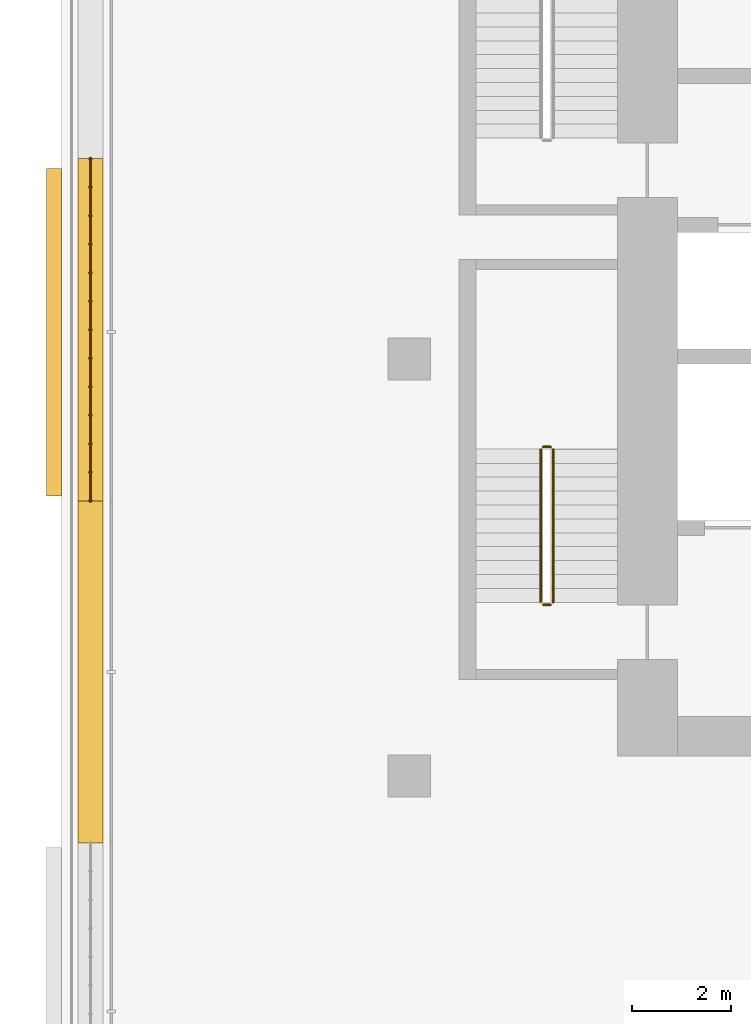
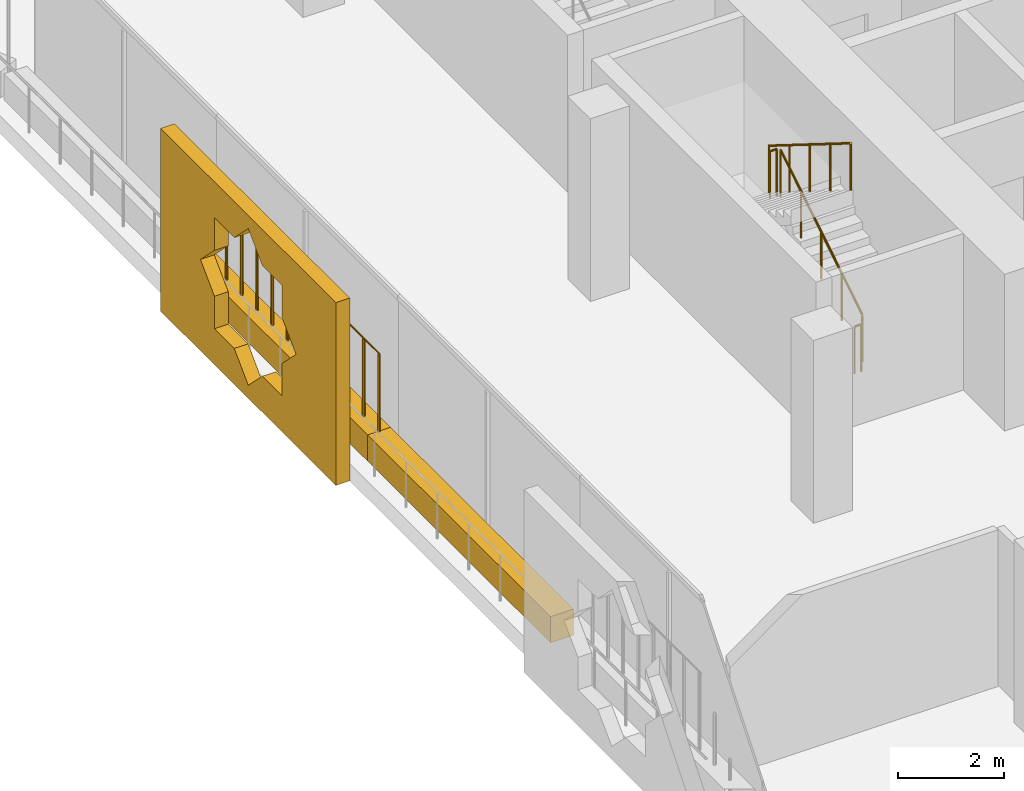
# One storey, part 15 of 20: 5 railings, 3 coverings.
"""IFC4 building model written with IfcOpenShell, lengths in metres."""

from ifc_helpers import new_model, si_unit, direction, frame, origin, origin_2d, place, context, subcontext, project, spatial, polyline, rectangle, circle, outline, extrude, material, material_profile, profile_set, type_object, element, save


model = new_model("IFC4")

# Units and contexts
model_context = context("Model", 3, precision=1e-05, world=origin(), true_north=direction((0.0, 1.0)))
body_context = subcontext(model_context, "Body", "Model", "MODEL_VIEW")
ifc_project = project(units=[si_unit("LENGTHUNIT", "METRE"), si_unit("AREAUNIT", "SQUARE_METRE"), si_unit("VOLUMEUNIT", "CUBIC_METRE"), si_unit("PLANEANGLEUNIT", "RADIAN"), si_unit("MASSUNIT", "GRAM", prefix="KILO")], contexts=[model_context])

# Site, building, storey
site_placement = place(None, origin())
site = spatial("IfcSite", under=ifc_project, at=site_placement, CompositionType="ELEMENT")
building_placement = place(site_placement, origin())
building = spatial("IfcBuilding", under=site, at=building_placement, Name="Kawkab Arch Medical Tower", CompositionType="ELEMENT")
storey_placement = place(building_placement, frame((0.0, 0.0, 239.0)))
storey = spatial("IfcBuildingStorey", under=building, at=storey_placement, Name="L55", CompositionType="ELEMENT", Elevation=239.0)

# Coverings
ifc_material_1 = material(Name="Bronze anodised aluminium mashrabiya panel, eight-point star pattern", Category="aluminium")
ifc_material_profile_1 = material_profile(ifc_material_1, outline(polyline([(-3.300048828125, -2.10009765625), (3.300048828125, -2.10009765625), (3.300048828125, 2.10009765625), (-3.300048828125, 2.10009765625), (-3.300048828125, -2.10009765625)]), holes=[polyline([(1.800048828125, 0.0), (1.272705078125, 0.527099609375), (1.272705078125, 1.272705078125), (0.527099609375, 1.272705078125), (0.0, 1.800048828125), (-0.527099609375, 1.272705078125), (-1.272705078125, 1.272705078125), (-1.272705078125, 0.527099609375), (-1.800048828125, 0.0), (-1.272705078125, -0.527099609375), (-1.272705078125, -1.272705078125), (-0.527099609375, -1.272705078125), (0.0, -1.800048828125), (0.527099609375, -1.272705078125), (1.272705078125, -1.272705078125), (1.272705078125, -0.527099609375), (1.800048828125, 0.0)])]), Name="Mashrabiya panel 6600x4200")
ifc_profile_set_1 = profile_set([ifc_material_profile_1], Name="Bronze anodised aluminium mashrabiya panel, eight-point star pattern")
covering_type_1 = type_object("IfcCoveringType", Name="Mashrabiya panel 6600 x 4200", PredefinedType="USERDEFINED", material=ifc_profile_set_1)
covering_1_placement = place(storey_placement, frame((-7.0, -16.259033203125, 1.699951171875), z_axis=(-1.0, 0.0, 0.0), x_axis=(0.0, -1.0, 0.0)))
element("IfcCovering", 1, at=covering_1_placement, inside=storey, type_object=covering_type_1, Name="Mashrabiya panel L55.LOG-01-01.4", ObjectType="SCREEN", PredefinedType="USERDEFINED", context=body_context, shape_type="SweptSolid", body=[
    extrude(outline(polyline([(-3.300048828125, -2.10009765625), (3.300048828125, -2.10009765625), (3.300048828125, 2.10009765625), (-3.300048828125, 2.10009765625), (-3.300048828125, -2.10009765625)]), holes=[polyline([(1.800048828125, 0.0), (1.272705078125, 0.527099609375), (1.272705078125, 1.272705078125), (0.527099609375, 1.272705078125), (0.0, 1.800048828125), (-0.527099609375, 1.272705078125), (-1.272705078125, 1.272705078125), (-1.272705078125, 0.527099609375), (-1.800048828125, 0.0), (-1.272705078125, -0.527099609375), (-1.272705078125, -1.272705078125), (-0.527099609375, -1.272705078125), (0.0, -1.800048828125), (0.527099609375, -1.272705078125), (1.272705078125, -1.272705078125), (1.272705078125, -0.527099609375), (1.800048828125, 0.0)])]), origin(), (0.0, 0.0, 1.0), 0.300048828125),
])
ifc_material_2 = material(Name="Planting soil in a precast trough", Category="concrete")
ifc_material_profile_2 = material_profile(ifc_material_2, rectangle(XDim=0.5, YDim=0.60009765625, at=origin_2d()), Name="Trough 500x600")
ifc_profile_set_2 = profile_set([ifc_material_profile_2], Name="Planting soil in a precast trough")
covering_type_2 = type_object("IfcCoveringType", Name="Planter trough 500 x 600", PredefinedType="USERDEFINED", material=ifc_profile_set_2)
covering_2_placement = place(storey_placement, frame((-6.419921875, -26.544921875, 0.300048828125), z_axis=(0.0, 1.0, 0.0), x_axis=(-1.0, 0.0, 0.0)))
element("IfcCovering", 2, at=covering_2_placement, inside=storey, type_object=covering_type_2, Name="Planter L55.LOG-01-01.10", ObjectType="PLANTER", PredefinedType="USERDEFINED", context=body_context, shape_type="SweptSolid", body=[
    extrude(rectangle(XDim=0.5, YDim=0.60009765625, at=origin_2d()), origin(), (0.0, 0.0, 1.0), 6.889892578125),
])
covering_3_placement = place(storey_placement, frame((-6.419921875, -19.655029296875, 0.300048828125), z_axis=(0.0, 1.0, 0.0), x_axis=(-1.0, 0.0, 0.0)))
element("IfcCovering", 3, at=covering_3_placement, inside=storey, type_object=covering_type_2, Name="Planter L55.LOG-01-01.11", ObjectType="PLANTER", PredefinedType="USERDEFINED", context=body_context, shape_type="SweptSolid", body=[
    extrude(rectangle(XDim=0.5, YDim=0.60009765625, at=origin_2d()), origin(), (0.0, 0.0, 1.0), 6.89111328125),
])

# Railings
ifc_material_3 = material(Name="Bronze anodised aluminium trellis for climbing plants", Category="aluminium")
railing_type_1 = type_object("IfcRailingType", Name="Planting trellis 2400", PredefinedType="USERDEFINED", material=ifc_material_3)
railing_1_placement = place(storey_placement, frame((-6.419921875, -19.655029296875, 0.0)))
element("IfcRailing", 4, at=railing_1_placement, inside=storey, type_object=railing_type_1, Name="Planting trellis L55.LOG-01-01.11", ObjectType="TRELLIS", PredefinedType="USERDEFINED", context=body_context, shape_type="SweptSolid", body=[
    extrude(circle(Radius=0.01513671875, at=origin_2d()), frame((0.0, 0.0, 2.384765625), z_axis=(0.0, 1.0, 0.0), x_axis=(-1.0, 0.0, 0.0)), (0.0, 0.0, 1.0), 6.89111328125),
    extrude(circle(Radius=0.030029296875, at=origin_2d()), origin(), (0.0, 0.0, 1.0), 2.369873046875),
    extrude(circle(Radius=0.030029296875, at=origin_2d()), frame((0.0, 0.57421875, 0.0)), (0.0, 0.0, 1.0), 2.369873046875),
    extrude(circle(Radius=0.030029296875, at=origin_2d()), frame((0.0, 1.1484375, 0.0)), (0.0, 0.0, 1.0), 2.369873046875),
    extrude(circle(Radius=0.030029296875, at=origin_2d()), frame((0.0, 1.72265625, 0.0)), (0.0, 0.0, 1.0), 2.369873046875),
    extrude(circle(Radius=0.030029296875, at=origin_2d()), frame((0.0, 2.297119140625, 0.0)), (0.0, 0.0, 1.0), 2.369873046875),
    extrude(circle(Radius=0.030029296875, at=origin_2d()), frame((0.0, 2.871337890625, 0.0)), (0.0, 0.0, 1.0), 2.369873046875),
    extrude(circle(Radius=0.030029296875, at=origin_2d()), frame((0.0, 3.445556640625, 0.0)), (0.0, 0.0, 1.0), 2.369873046875),
    extrude(circle(Radius=0.030029296875, at=origin_2d()), frame((0.0, 4.019775390625, 0.0)), (0.0, 0.0, 1.0), 2.369873046875),
    extrude(circle(Radius=0.030029296875, at=origin_2d()), frame((0.0, 4.593994140625, 0.0)), (0.0, 0.0, 1.0), 2.369873046875),
    extrude(circle(Radius=0.030029296875, at=origin_2d()), frame((0.0, 5.16845703125, 0.0)), (0.0, 0.0, 1.0), 2.369873046875),
    extrude(circle(Radius=0.030029296875, at=origin_2d()), frame((0.0, 5.74267578125, 0.0)), (0.0, 0.0, 1.0), 2.369873046875),
    extrude(circle(Radius=0.030029296875, at=origin_2d()), frame((0.0, 6.31689453125, 0.0)), (0.0, 0.0, 1.0), 2.369873046875),
    extrude(circle(Radius=0.030029296875, at=origin_2d()), frame((0.0, 6.89111328125, 0.0)), (0.0, 0.0, 1.0), 2.369873046875),
])
ifc_material_4 = material(Name="Stainless steel", Category="steel")
railing_type_2 = type_object("IfcRailingType", Name="Stair guard 1100", PredefinedType="GUARDRAIL", material=ifc_material_4)
railing_2_placement = place(storey_placement, frame((2.89990234375, -21.699951171875, 0.175048828125)))
element("IfcRailing", 5, at=railing_2_placement, inside=storey, type_object=railing_type_2, Name="L55 ST2 stair guard 1", PredefinedType="GUARDRAIL", context=body_context, shape_type="SweptSolid", body=[
    extrude(circle(Radius=0.02392578125, at=origin_2d()), frame((0.0, 0.0, 1.076171875), z_axis=(0.0, 0.847979421464, 0.530029150871), x_axis=(-1.0, 0.0, 0.0)), (0.0, 0.0, 1.0), 3.632080078125),
    extrude(circle(Radius=0.02099609375, at=origin_2d()), origin(), (0.0, 0.0, 1.0), 1.052001953125),
    extrude(circle(Radius=0.02099609375, at=origin_2d()), frame((0.0, 0.77001953125, 0.481201171875)), (0.0, 0.0, 1.0), 1.052001953125),
    extrude(circle(Radius=0.02099609375, at=origin_2d()), frame((0.0, 1.5400390625, 0.96240234375)), (0.0, 0.0, 1.0), 1.052001953125),
    extrude(circle(Radius=0.02099609375, at=origin_2d()), frame((0.0, 2.309814453125, 1.44384765625)), (0.0, 0.0, 1.0), 1.052001953125),
    extrude(circle(Radius=0.02099609375, at=origin_2d()), frame((0.0, 3.079833984375, 1.925048828125)), (0.0, 0.0, 1.0), 1.052001953125),
])
railing_3_placement = place(storey_placement, frame((2.85009765625, -18.570068359375, 2.10009765625)))
element("IfcRailing", 6, at=railing_3_placement, inside=storey, type_object=railing_type_2, Name="L55 ST2 stair guard 2", PredefinedType="GUARDRAIL", context=body_context, shape_type="SweptSolid", body=[
    extrude(circle(Radius=0.02392578125, at=origin_2d()), frame((0.0, 0.0, 1.076171875), z_axis=(-1.0, 0.0, 0.0), x_axis=(0.0, -1.0, 0.0)), (0.0, 0.0, 1.0), 0.150146484375),
    extrude(circle(Radius=0.02099609375, at=origin_2d()), origin(), (0.0, 0.0, 1.0), 1.052001953125),
    extrude(circle(Radius=0.02099609375, at=origin_2d()), frame((-0.150146484375, 0.0, 0.0)), (0.0, 0.0, 1.0), 1.052001953125),
])
railing_4_placement = place(storey_placement, frame((2.64990234375, -18.6201171875, 2.27490234375)))
element("IfcRailing", 7, at=railing_4_placement, inside=storey, type_object=railing_type_2, Name="L55 ST2 stair guard 3", PredefinedType="GUARDRAIL", context=body_context, shape_type="SweptSolid", body=[
    extrude(circle(Radius=0.02392578125, at=origin_2d()), frame((0.0, 0.0, 1.076171875), z_axis=(0.0, -0.847979421464, 0.530029150871), x_axis=(1.0, 0.0, 0.0)), (0.0, 0.0, 1.0), 3.632080078125),
    extrude(circle(Radius=0.02099609375, at=origin_2d()), origin(), (0.0, 0.0, 1.0), 1.052001953125),
    extrude(circle(Radius=0.02099609375, at=origin_2d()), frame((0.0, -0.77001953125, 0.481201171875)), (0.0, 0.0, 1.0), 1.052001953125),
    extrude(circle(Radius=0.02099609375, at=origin_2d()), frame((0.0, -1.5400390625, 0.96240234375)), (0.0, 0.0, 1.0), 1.052001953125),
    extrude(circle(Radius=0.02099609375, at=origin_2d()), frame((0.0, -2.309814453125, 1.44384765625)), (0.0, 0.0, 1.0), 1.052001953125),
    extrude(circle(Radius=0.02099609375, at=origin_2d()), frame((0.0, -3.079833984375, 1.925048828125)), (0.0, 0.0, 1.0), 1.052001953125),
])
railing_5_placement = place(storey_placement, frame((2.85009765625, -21.75, 0.0)))
element("IfcRailing", 8, at=railing_5_placement, inside=storey, type_object=railing_type_2, Name="L55 ST2 stair guard 4", PredefinedType="GUARDRAIL", context=body_context, shape_type="SweptSolid", body=[
    extrude(circle(Radius=0.02392578125, at=origin_2d()), frame((0.0, 0.0, 1.076171875), z_axis=(-1.0, 0.0, 0.0), x_axis=(0.0, -1.0, 0.0)), (0.0, 0.0, 1.0), 0.150146484375),
    extrude(circle(Radius=0.02099609375, at=origin_2d()), origin(), (0.0, 0.0, 1.0), 1.052001953125),
    extrude(circle(Radius=0.02099609375, at=origin_2d()), frame((-0.150146484375, 0.0, 0.0)), (0.0, 0.0, 1.0), 1.052001953125),
])

save(model, "model.ifc")
